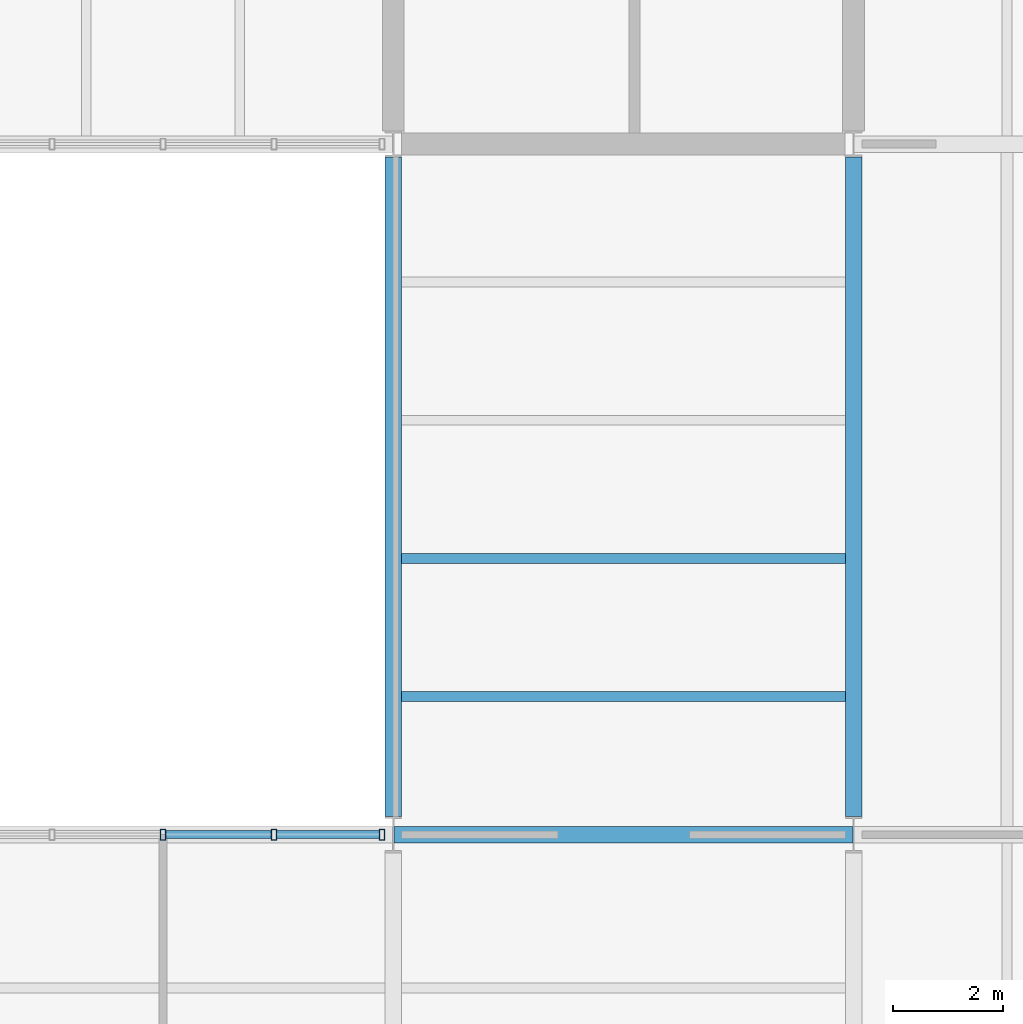
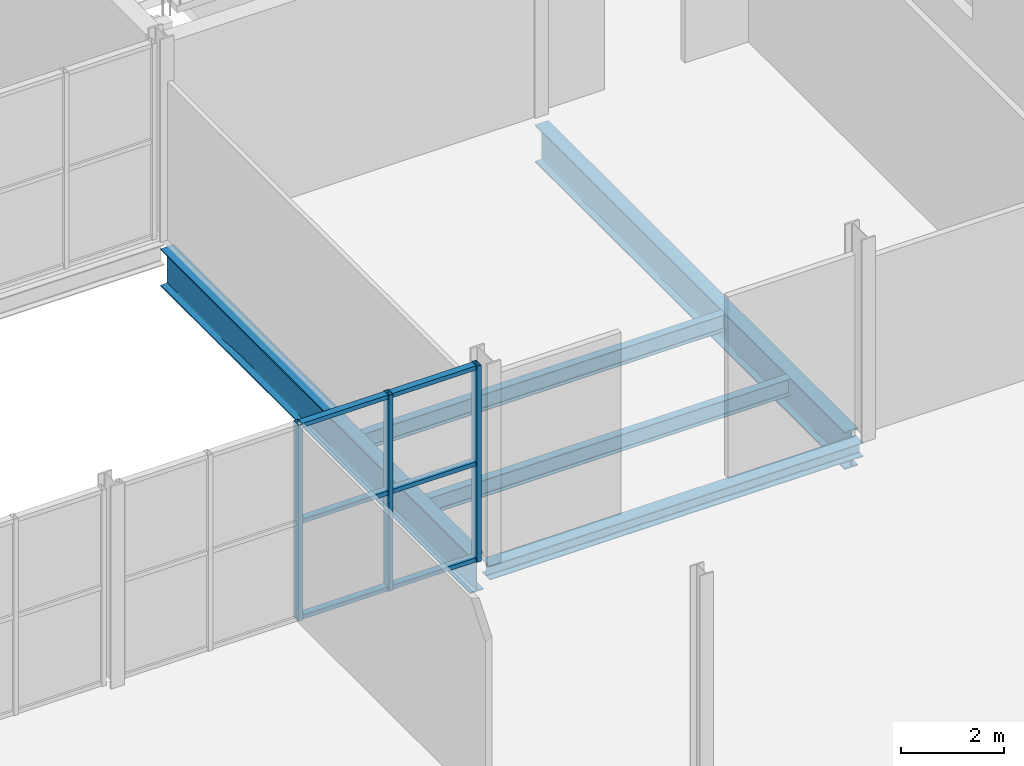
# One storey, part 20 of 57: 9 members, 5 beams, 1 element without a shape of its own.
"""IFC4 building model written with IfcOpenShell, lengths in metres."""

from ifc_helpers import new_model, si_unit, direction, frame, origin, origin_2d, place, context, subcontext, project, spatial, hollow_rectangle, i_section, extrude, material, layer, layer_set, material_profile, profile_set, type_object, element, aggregate, save


model = new_model("IFC4")

# Units and contexts
model_context = context("Model", 3, precision=1e-05, world=origin(), true_north=direction((0.0, 1.0)))
body_context = subcontext(model_context, "Body", "Model", "MODEL_VIEW")
ifc_project = project(units=[si_unit("LENGTHUNIT", "METRE"), si_unit("AREAUNIT", "SQUARE_METRE"), si_unit("VOLUMEUNIT", "CUBIC_METRE"), si_unit("PLANEANGLEUNIT", "RADIAN"), si_unit("MASSUNIT", "GRAM", prefix="KILO")], contexts=[model_context])

# Site, building, storey
site_placement = place(None, origin())
site = spatial("IfcSite", under=ifc_project, at=site_placement, CompositionType="ELEMENT")
building_placement = place(site_placement, origin())
building = spatial("IfcBuilding", under=site, at=building_placement, Name="Galleria Vessillo Department Store", CompositionType="ELEMENT")
storey_placement = place(building_placement, frame((0.0, 0.0, 21.0)))
storey = spatial("IfcBuildingStorey", under=building, at=storey_placement, Name="L04", CompositionType="ELEMENT", Elevation=21.0)

# Beams
ifc_material_1 = material(Name="Steel S355 J2", Category="steel")
ifc_material_profile_1 = material_profile(ifc_material_1, i_section(OverallWidth=0.300048828125, OverallDepth=0.889892578125, WebThickness=0.01611328125, FlangeThickness=0.030029296875, FilletRadius=0.030029296875, at=origin_2d()), Name="HEA 900")
ifc_profile_set_1 = profile_set([ifc_material_profile_1], Name="Steel S355 J2")
beam_type_1 = type_object("IfcBeamType", Name="Floor girder HEA 900", PredefinedType="BEAM", material=ifc_profile_set_1)
beam_1_placement = place(storey_placement, frame((109.199951171875, 25.5341796875, -0.594970703125), z_axis=(0.0, 1.0, 0.0), x_axis=(-1.0, 0.0, 0.0)))
element("IfcBeam", 1, at=beam_1_placement, inside=storey, type_object=beam_type_1, Name="S-BM-L04-GI-y109200-25534", PredefinedType="BEAM", context=body_context, shape_type="SweptSolid", body=[
    extrude(i_section(OverallWidth=0.300048828125, OverallDepth=0.889892578125, WebThickness=0.01611328125, FlangeThickness=0.030029296875, FilletRadius=0.030029296875, at=origin_2d()), origin(), (0.0, 0.0, 1.0), 12.026611328125),
])
ifc_material_2 = material(Name="Steel S355 J2", Category="steel")
ifc_material_profile_2 = material_profile(ifc_material_2, i_section(OverallWidth=0.179931640625, OverallDepth=0.39990234375, WebThickness=0.008544921875, FlangeThickness=0.013427734375, FilletRadius=0.02099609375, at=origin_2d()), Name="IPE 400")
ifc_profile_set_2 = profile_set([ifc_material_profile_2], Name="Steel S355 J2")
beam_type_2 = type_object("IfcBeamType", Name="Floor joist IPE 400", PredefinedType="JOIST", material=ifc_profile_set_2)
for number, where, z_axis, x_axis, name in (
    (2, (100.9501953125, 27.719970703125, -0.349853515625), (1.0, 0.0, 0.0), (0.0, 1.0, 0.0), "S-BM-L04-JO-x27720-100950"),
    (3, (100.9501953125, 30.239990234375, -0.349853515625), (1.0, 0.0, 0.0), (0.0, 1.0, 0.0), "S-BM-L04-JO-x30240-100950"),
):
    element("IfcBeam", number, at=place(storey_placement, frame(where, z_axis=z_axis, x_axis=x_axis)), inside=storey, type_object=beam_type_2, Name=name, PredefinedType="JOIST", context=body_context, shape_type="SweptSolid", body=[
        extrude(i_section(OverallWidth=0.179931640625, OverallDepth=0.39990234375, WebThickness=0.008544921875, FlangeThickness=0.013427734375, FilletRadius=0.02099609375, at=origin_2d()), origin(), (0.0, 0.0, 1.0), 8.099609375),
    ])
ifc_material_3 = material(Name="Steel S355 J2", Category="steel")
ifc_material_profile_3 = material_profile(ifc_material_3, i_section(OverallWidth=0.300048828125, OverallDepth=0.330078125, WebThickness=0.009521484375, FlangeThickness=0.0166015625, FilletRadius=0.027099609375, at=origin_2d()), Name="HEA 340")
ifc_profile_set_3 = profile_set([ifc_material_profile_3], Name="Steel S355 J2")
beam_type_3 = type_object("IfcBeamType", Name="Floor tie girder HEA 340", PredefinedType="BEAM", material=ifc_profile_set_3)
beam_2_placement = place(storey_placement, frame((100.810546875, 25.199951171875, -0.31494140625), z_axis=(1.0, 0.0, 0.0), x_axis=(0.0, 1.0, 0.0)))
element("IfcBeam", 4, at=beam_2_placement, inside=storey, type_object=beam_type_3, Name="S-BM-L04-TI-x25200-100811", PredefinedType="BEAM", context=body_context, shape_type="SweptSolid", body=[
    extrude(i_section(OverallWidth=0.300048828125, OverallDepth=0.330078125, WebThickness=0.009521484375, FlangeThickness=0.0166015625, FilletRadius=0.027099609375, at=origin_2d()), origin(), (0.0, 0.0, 1.0), 8.37890625),
])

# Curtain wall, members
ifc_material_4 = material(Name="Steel and fire-resisting glass curtain wall", Category="steel")
ifc_layer = layer(ifc_material_4, 0.199951171875)
ifc_layer_set = layer_set([ifc_layer], Name="Steel and fire-resisting glass curtain wall")
curtain_wall_type = type_object("IfcCurtainWallType", Name="Arcade fire-resisting glazed shopfront EI 120-Sa", PredefinedType="NOTDEFINED", material=ifc_layer_set)
curtain_wall_placement = place(storey_placement, origin())
curtain_wall = element("IfcCurtainWall", 5, at=curtain_wall_placement, inside=storey, type_object=curtain_wall_type, Name="Arcade fire-resisting glazed shopfront EI 120-Sa AI-AE-S-L04-02", PredefinedType="NOTDEFINED")
ifc_material_5 = material(Name="Steel S355 J2", Category="steel")
ifc_material_profile_4 = material_profile(ifc_material_5, hollow_rectangle(XDim=0.199951171875, YDim=0.10009765625, WallThickness=0.008056640625, at=origin_2d()), Name="RHS 200x100x8")
ifc_profile_set_4 = profile_set([ifc_material_profile_4], Name="Steel S355 J2")
member_type_1 = type_object("IfcMemberType", Name="Steel mullion RHS 200x100x8", PredefinedType="MULLION", material=ifc_profile_set_4)
member_1_placement = place(storey_placement, frame((96.600341796875, 25.199951171875, 0.0), z_axis=(0.0, 0.0, 1.0), x_axis=(0.0, 1.0, 0.0)))
member_1 = element("IfcMember", 6, at=member_1_placement, type_object=member_type_1, Name="CW7 mullion 3", PredefinedType="MULLION", context=body_context, shape_type="SweptSolid", body=[
    extrude(hollow_rectangle(XDim=0.199951171875, YDim=0.10009765625, WallThickness=0.008056640625, at=origin_2d()), origin(), (0.0, 0.0, 1.0), 4.650146484375),
])
member_2_placement = place(storey_placement, frame((98.623779296875, 25.199951171875, 0.0), z_axis=(0.0, 0.0, 1.0), x_axis=(0.0, 1.0, 0.0)))
member_2 = element("IfcMember", 7, at=member_2_placement, type_object=member_type_1, Name="CW7 mullion 4", PredefinedType="MULLION", context=body_context, shape_type="SweptSolid", body=[
    extrude(hollow_rectangle(XDim=0.199951171875, YDim=0.10009765625, WallThickness=0.008056640625, at=origin_2d()), origin(), (0.0, 0.0, 1.0), 4.650146484375),
])
member_3_placement = place(storey_placement, frame((100.597412109375, 25.199951171875, 0.0), z_axis=(0.0, 0.0, 1.0), x_axis=(0.0, 1.0, 0.0)))
member_3 = element("IfcMember", 8, at=member_3_placement, type_object=member_type_1, Name="CW7 mullion 5", PredefinedType="MULLION", context=body_context, shape_type="SweptSolid", body=[
    extrude(hollow_rectangle(XDim=0.199951171875, YDim=0.10009765625, WallThickness=0.008056640625, at=origin_2d()), origin(), (0.0, 0.0, 1.0), 4.650146484375),
])
ifc_material_6 = material(Name="Steel S355 J2", Category="steel")
ifc_material_profile_5 = material_profile(ifc_material_6, hollow_rectangle(XDim=0.14990234375, YDim=0.10009765625, WallThickness=0.008056640625, at=origin_2d()), Name="RHS 150x100x8")
ifc_profile_set_5 = profile_set([ifc_material_profile_5], Name="Steel S355 J2")
member_type_2 = type_object("IfcMemberType", Name="Steel transom RHS 150x100x8", PredefinedType="USERDEFINED", material=ifc_profile_set_5)
member_4_placement = place(storey_placement, frame((96.650146484375, 25.199951171875, 0.050048828125), z_axis=(1.0, 0.0, 0.0), x_axis=(0.0, 1.0, 0.0)))
member_4 = element("IfcMember", 9, at=member_4_placement, type_object=member_type_2, Name="CW7 transom 3.1", ObjectType="TRANSOM", PredefinedType="USERDEFINED", context=body_context, shape_type="SweptSolid", body=[
    extrude(hollow_rectangle(XDim=0.14990234375, YDim=0.10009765625, WallThickness=0.008056640625, at=origin_2d()), origin(), (0.0, 0.0, 1.0), 1.923583984375),
])
member_5_placement = place(storey_placement, frame((96.650146484375, 25.199951171875, 2.3251953125), z_axis=(1.0, 0.0, 0.0), x_axis=(0.0, 1.0, 0.0)))
member_5 = element("IfcMember", 10, at=member_5_placement, type_object=member_type_2, Name="CW7 transom 3.2", ObjectType="TRANSOM", PredefinedType="USERDEFINED", context=body_context, shape_type="SweptSolid", body=[
    extrude(hollow_rectangle(XDim=0.14990234375, YDim=0.10009765625, WallThickness=0.008056640625, at=origin_2d()), origin(), (0.0, 0.0, 1.0), 1.923583984375),
])
member_6_placement = place(storey_placement, frame((96.650146484375, 25.199951171875, 4.60009765625), z_axis=(1.0, 0.0, 0.0), x_axis=(0.0, 1.0, 0.0)))
member_6 = element("IfcMember", 11, at=member_6_placement, type_object=member_type_2, Name="CW7 transom 3.3", ObjectType="TRANSOM", PredefinedType="USERDEFINED", context=body_context, shape_type="SweptSolid", body=[
    extrude(hollow_rectangle(XDim=0.14990234375, YDim=0.10009765625, WallThickness=0.008056640625, at=origin_2d()), origin(), (0.0, 0.0, 1.0), 1.923583984375),
])
member_7_placement = place(storey_placement, frame((98.673828125, 25.199951171875, 0.050048828125), z_axis=(1.0, 0.0, 0.0), x_axis=(0.0, 1.0, 0.0)))
member_7 = element("IfcMember", 12, at=member_7_placement, type_object=member_type_2, Name="CW7 transom 4.1", ObjectType="TRANSOM", PredefinedType="USERDEFINED", context=body_context, shape_type="SweptSolid", body=[
    extrude(hollow_rectangle(XDim=0.14990234375, YDim=0.10009765625, WallThickness=0.008056640625, at=origin_2d()), origin(), (0.0, 0.0, 1.0), 1.87353515625),
])
member_8_placement = place(storey_placement, frame((98.673828125, 25.199951171875, 2.3251953125), z_axis=(1.0, 0.0, 0.0), x_axis=(0.0, 1.0, 0.0)))
member_8 = element("IfcMember", 13, at=member_8_placement, type_object=member_type_2, Name="CW7 transom 4.2", ObjectType="TRANSOM", PredefinedType="USERDEFINED", context=body_context, shape_type="SweptSolid", body=[
    extrude(hollow_rectangle(XDim=0.14990234375, YDim=0.10009765625, WallThickness=0.008056640625, at=origin_2d()), origin(), (0.0, 0.0, 1.0), 1.87353515625),
])
member_9_placement = place(storey_placement, frame((98.673828125, 25.199951171875, 4.60009765625), z_axis=(1.0, 0.0, 0.0), x_axis=(0.0, 1.0, 0.0)))
member_9 = element("IfcMember", 14, at=member_9_placement, type_object=member_type_2, Name="CW7 transom 4.3", ObjectType="TRANSOM", PredefinedType="USERDEFINED", context=body_context, shape_type="SweptSolid", body=[
    extrude(hollow_rectangle(XDim=0.14990234375, YDim=0.10009765625, WallThickness=0.008056640625, at=origin_2d()), origin(), (0.0, 0.0, 1.0), 1.87353515625),
])
aggregate(curtain_wall, [member_1, member_2, member_3, member_4, member_5, member_6, member_7, member_8, member_9])

# Beam
ifc_material_7 = material(Name="Steel S355 J2", Category="steel")
ifc_material_profile_6 = material_profile(ifc_material_7, i_section(OverallWidth=0.300048828125, OverallDepth=0.889892578125, WebThickness=0.01611328125, FlangeThickness=0.030029296875, FilletRadius=0.030029296875, at=origin_2d()), Name="HEA 900")
ifc_profile_set_6 = profile_set([ifc_material_profile_6], Name="Steel S355 J2")
beam_type_4 = type_object("IfcBeamType", Name="Trimmer beam HEA 900", PredefinedType="BEAM", material=ifc_profile_set_6)
beam_3_placement = place(storey_placement, frame((100.800048828125, 25.5341796875, -0.594970703125), z_axis=(0.0, 1.0, 0.0), x_axis=(-1.0, 0.0, 0.0)))
element("IfcBeam", 15, at=beam_3_placement, inside=storey, type_object=beam_type_4, Name="S-BM-L04-TR-y100800-25534", PredefinedType="BEAM", context=body_context, shape_type="SweptSolid", body=[
    extrude(i_section(OverallWidth=0.300048828125, OverallDepth=0.889892578125, WebThickness=0.01611328125, FlangeThickness=0.030029296875, FilletRadius=0.030029296875, at=origin_2d()), origin(), (0.0, 0.0, 1.0), 12.026611328125),
])

save(model, "model.ifc")
